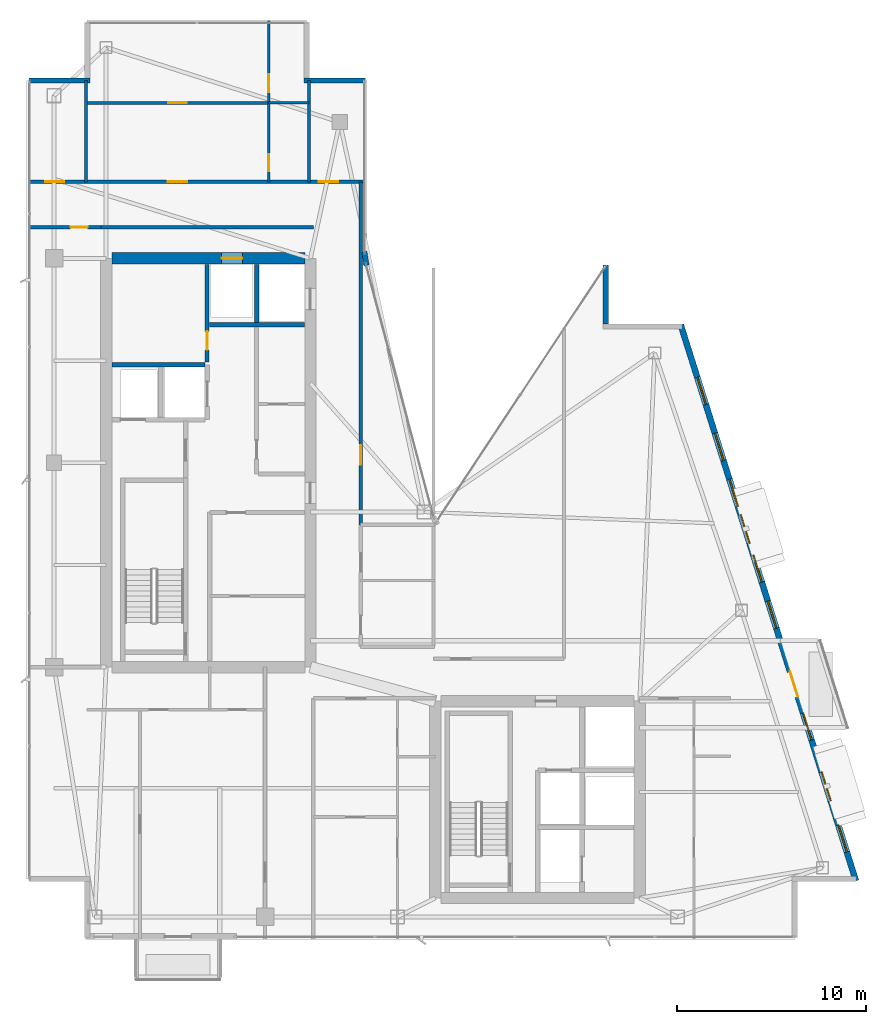
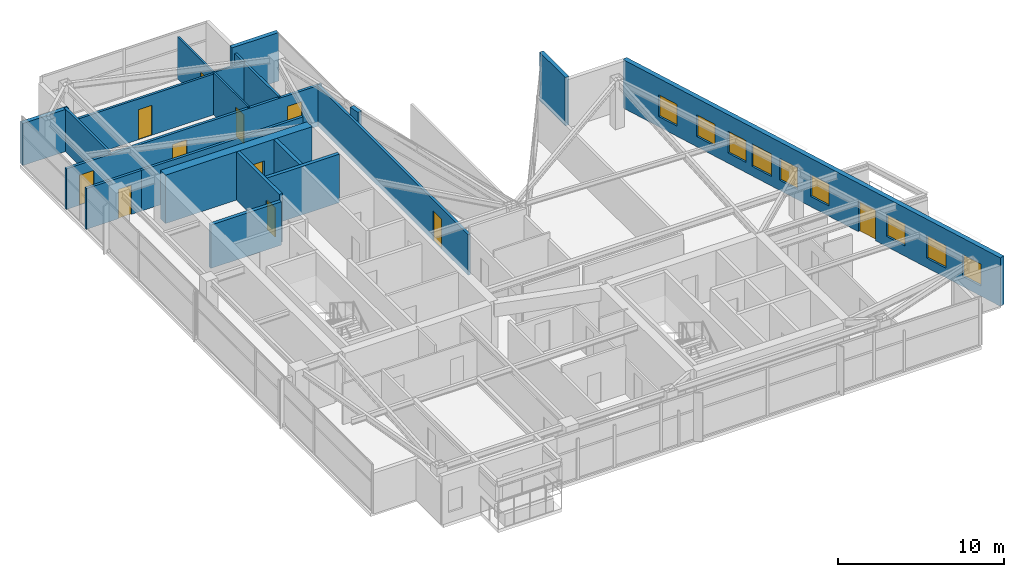
# One storey, part 25 of 28: 19 walls, 11 doors, 9 windows, 20 openings.
"""IFC4 building model written with IfcOpenShell, lengths in metres."""

import ifcopenshell
import ifcopenshell.guid

model = None  # the IFC model being written
_history = None  # IfcOwnerHistory: only IFC2X3 demands one
_inside = {}  # id of a spatial element -> (the spatial element, [elements in it])
_under = {}  # id of a project, library or spatial element -> (it, [spatial elements below it])
_declared = {}  # id of a project -> (the project, [libraries it declares])
_typed = {}  # id of a type object -> (the type object, [elements of that type])
_made_of = {}  # id of a material, layer set ... -> (it, [elements and type objects made of it])


def new_model(schema):
    """Start an empty IFC model of exactly this schema.

    Asked for "IFC4X3", IfcOpenShell would pick the latest addendum, in which some entities
    have other attributes; the version numbers below select the first issue.
    IFC2X3 requires an IfcOwnerHistory on every rooted entity: one is made here for all.
    """
    global model, _history
    if schema == "IFC4X3":
        model = ifcopenshell.file(schema_version=(4, 3, 0, 0))
    else:
        model = ifcopenshell.file(schema=schema)
    _inside.clear()
    _under.clear()
    _declared.clear()
    _typed.clear()
    _made_of.clear()
    _history = None
    if model.schema == "IFC2X3":
        org = make("IfcOrganization", Name="unknown")
        user = make(
            "IfcPersonAndOrganization",
            ThePerson=make("IfcPerson", FamilyName="unknown"),
            TheOrganization=org,
        )
        app = make(
            "IfcApplication",
            ApplicationDeveloper=org,
            Version="unknown",
            ApplicationFullName="unknown",
            ApplicationIdentifier="unknown",
        )
        _history = make(
            "IfcOwnerHistory",
            OwningUser=user,
            OwningApplication=app,
            ChangeAction="ADDED",
            CreationDate=0,
        )
    return model


def make(cls, **values):
    """One entity of the class cls with the attributes given. An attribute that is None is left unset."""
    return model.create_entity(
        cls, **{name: value for name, value in values.items() if value is not None}
    )


def rooted(cls, **values):
    """An entity with a GlobalId (a new one), such as an element, a storey or a relation."""
    return make(cls, GlobalId=ifcopenshell.guid.new(), OwnerHistory=_history, **values)


def si_unit(unit_type, name, prefix=None):
    """IfcSIUnit, for example si_unit("LENGTHUNIT", "METRE", prefix="MILLI")."""
    return make("IfcSIUnit", UnitType=unit_type, Prefix=prefix, Name=name)


def assignment(units):
    """IfcUnitAssignment: the units of a project."""
    return None if units is None else make("IfcUnitAssignment", Units=units)


def point(xyz):
    """IfcCartesianPoint."""
    return None if xyz is None else make("IfcCartesianPoint", Coordinates=xyz)


def direction(xyz):
    """IfcDirection."""
    return None if xyz is None else make("IfcDirection", DirectionRatios=xyz)


def frame(location, z_axis=None, x_axis=None):
    """IfcAxis2Placement3D, a coordinate frame: its origin and axes. An axis left out is left unset."""
    return make(
        "IfcAxis2Placement3D",
        Location=point(location),
        Axis=direction(z_axis),
        RefDirection=direction(x_axis),
    )


def frame_2d(location, x_axis=None):
    """IfcAxis2Placement2D, a coordinate frame in the plane: its origin and x axis."""
    return make(
        "IfcAxis2Placement2D", Location=point(location), RefDirection=direction(x_axis)
    )


def origin():
    """The frame at (0, 0, 0) with its axes left unset."""
    return frame((0.0, 0.0, 0.0))


def place(relative_to, where):
    """IfcLocalPlacement: puts the frame where relative to a parent placement (None: the world)."""
    return make(
        "IfcLocalPlacement", PlacementRelTo=relative_to, RelativePlacement=where
    )


def context(
    kind, dimensions, precision=None, world=None, true_north=None, identifier=None
):
    """IfcGeometricRepresentationContext, for example the 3D "Model" context."""
    return make(
        "IfcGeometricRepresentationContext",
        ContextIdentifier=identifier,
        ContextType=kind,
        CoordinateSpaceDimension=dimensions,
        Precision=precision,
        WorldCoordinateSystem=world,
        TrueNorth=true_north,
    )


def subcontext(parent, identifier, kind, view, scale=None):
    """IfcGeometricRepresentationSubContext, for example "Body" below "Model"."""
    return make(
        "IfcGeometricRepresentationSubContext",
        ContextIdentifier=identifier,
        ContextType=kind,
        ParentContext=parent,
        TargetScale=scale,
        TargetView=view,
    )


def project(units=None, contexts=None):
    """IfcProject with its units and contexts."""
    return rooted(
        "IfcProject",
        Name="project",
        RepresentationContexts=contexts,
        UnitsInContext=assignment(units),
    )


def spatial(cls, under=None, at=None, **own):
    """A site, building, storey or space (cls), placed at a placement, below another one or the project."""
    s = rooted(cls, ObjectPlacement=at, **own)
    if under is not None:
        _under.setdefault(under.id(), (under, []))[1].append(s)
    return s


def profile(cls, at=None, kind="AREA", **sizes):
    """A parametric profile (cls). Its sizes go by their IFC names, for example OverallWidth=200.0."""
    return make(cls, ProfileType=kind, Position=at, **sizes)


def rectangle(**sizes):
    """IfcRectangleProfileDef."""
    return profile("IfcRectangleProfileDef", **sizes)


def extrude(swept, where, along, depth):
    """IfcExtrudedAreaSolid: the profile swept, set in the frame where, extruded along a direction by depth."""
    return make(
        "IfcExtrudedAreaSolid",
        SweptArea=swept,
        Position=where,
        ExtrudedDirection=direction(along),
        Depth=depth,
    )


def shape(context_of_items, identifier, shape_type, items):
    """IfcShapeRepresentation: the items that make up one representation, for example the "Body"."""
    return make(
        "IfcShapeRepresentation",
        ContextOfItems=context_of_items,
        RepresentationIdentifier=identifier,
        RepresentationType=shape_type,
        Items=items,
    )


def material(Name=None, Category=None):
    """IfcMaterial."""
    return make("IfcMaterial", Name=Name, Category=Category)


def layer(
    of_material, thickness, ventilated=None, Name=None, Category=None, Priority=None
):
    """IfcMaterialLayer: one layer of a wall or slab, of a material (None: an air gap)."""
    return make(
        "IfcMaterialLayer",
        Material=of_material,
        LayerThickness=thickness,
        IsVentilated=ventilated,
        Name=Name,
        Category=Category,
        Priority=Priority,
    )


def layer_set(layers, Name=None):
    """IfcMaterialLayerSet."""
    return make("IfcMaterialLayerSet", MaterialLayers=layers, LayerSetName=Name)


def made_of(thing, what):
    """Note that an element or type object is made of a material, layer set ...; save() writes the relation."""
    if what is not None:
        _made_of.setdefault(what.id(), (what, []))[1].append(thing)
    return thing


def type_object(cls, material=None, **own):
    """A type object (cls), such as IfcWallType, which elements share."""
    return made_of(rooted(cls, **own), material)


def element(
    cls,
    number,
    at=None,
    inside=None,
    cuts=None,
    type_object=None,
    material=None,
    context=None,
    identifier="Body",
    shape_type=None,
    held_by="IfcProductDefinitionShape",
    body=None,
    shapes=None,
    **own,
):
    """One element of the class cls, such as IfcWall. Its Tag is "e" and its number.

    at: its placement. inside: the storey or other place that contains it. cuts: it is an
    opening in that element (IfcRelVoidsElement). A single representation is given by context,
    identifier, shape_type and body (its items); several are given by shapes. held_by: the class
    of the entity that holds the representations. save() writes the other relations.
    """
    e = rooted(cls, Tag="e%d" % number, ObjectPlacement=at, **own)
    if body is not None:
        shapes = [shape(context, identifier, shape_type, body)]
    if shapes is not None:
        e.Representation = make(held_by, Representations=shapes)
    if inside is not None:
        _inside.setdefault(inside.id(), (inside, []))[1].append(e)
    if cuts is not None:
        rooted(
            "IfcRelVoidsElement", RelatingBuildingElement=cuts, RelatedOpeningElement=e
        )
    if type_object is not None:
        _typed.setdefault(type_object.id(), (type_object, []))[1].append(e)
    return made_of(e, material)


def fill(opening, filler):
    """IfcRelFillsElement: the door or window that sits in an opening."""
    return rooted(
        "IfcRelFillsElement",
        RelatingOpeningElement=opening,
        RelatedBuildingElement=filler,
    )


def aggregate(whole, parts):
    """IfcRelAggregates: a whole, such as a stair, and the parts it consists of."""
    return rooted("IfcRelAggregates", RelatingObject=whole, RelatedObjects=parts)


def save(model, path):
    """Write the relations noted so far, then the file.

    IfcRelAggregates (storeys below a building ...), IfcRelContainedInSpatialStructure (elements
    in a storey), IfcRelDefinesByType, IfcRelAssociatesMaterial and IfcRelDeclares: one each for
    every whole, place, type object, material and project.
    """
    for whole, parts in _under.values():
        aggregate(whole, parts)
    for where, things in _inside.values():
        rooted(
            "IfcRelContainedInSpatialStructure",
            RelatedElements=things,
            RelatingStructure=where,
        )
    for kind, things in _typed.values():
        rooted("IfcRelDefinesByType", RelatedObjects=things, RelatingType=kind)
    for what, things in _made_of.values():
        rooted("IfcRelAssociatesMaterial", RelatedObjects=things, RelatingMaterial=what)
    for by, libraries in _declared.values():
        rooted("IfcRelDeclares", RelatingContext=by, RelatedDefinitions=libraries)
    model.write(path)


model = new_model("IFC4")

# Units and contexts
model_context = context("Model", 3, precision=1e-05, world=origin(), true_north=direction((0.0, 1.0)))
body_context = subcontext(model_context, "Body", "Model", "MODEL_VIEW")
ifc_project = project(units=[si_unit("LENGTHUNIT", "METRE"), si_unit("AREAUNIT", "SQUARE_METRE"), si_unit("VOLUMEUNIT", "CUBIC_METRE"), si_unit("PLANEANGLEUNIT", "RADIAN"), si_unit("MASSUNIT", "GRAM", prefix="KILO")], contexts=[model_context])

# Site, building, storey
site_placement = place(None, origin())
site = spatial("IfcSite", under=ifc_project, at=site_placement, CompositionType="ELEMENT")
building_placement = place(site_placement, origin())
building = spatial("IfcBuilding", under=site, at=building_placement, Name="Calvorn Quay Hotel", CompositionType="ELEMENT")
storey_placement = place(building_placement, frame((0.0, 0.0, 271.10009765625)))
storey = spatial("IfcBuildingStorey", under=building, at=storey_placement, Name="L67", CompositionType="ELEMENT", Elevation=271.10009765625)

# Wall, opening, door
ifc_material_1 = material(Name="Concrete C45", Category="concrete")
ifc_layer_1 = layer(ifc_material_1, 0.60009765625)
ifc_layer_set_1 = layer_set([ifc_layer_1], Name="WL-CORE-600")
wall_type_1 = type_object("IfcWallType", Name="WL-CORE-600", PredefinedType="SHEAR", material=ifc_layer_set_1)
wall_1_placement = place(storey_placement, frame((4.5, 38.39990234375, 0.0), z_axis=(0.0, 0.0, 1.0), x_axis=(1.0, 0.0, 0.0)))
wall_1 = element("IfcWall", 1, at=wall_1_placement, inside=storey, type_object=wall_type_1, Name="West Core Shear Wall N (L67)", PredefinedType="SHEAR", context=body_context, shape_type="SweptSolid", body=[
    extrude(rectangle(XDim=10.199951171875, YDim=0.60009765625, at=frame_2d((5.10009765625, 0.0))), origin(), (0.0, 0.0, 1.0), 3.559814453125),
])
opening_1_placement = place(wall_1_placement, frame((5.800048828125, 0.0, 0.0)))
opening_1 = element("IfcOpeningElement", 2, at=opening_1_placement, cuts=wall_1, Name="Opening LD-L67-H2", PredefinedType="OPENING", context=body_context, shape_type="SweptSolid", body=[
    extrude(rectangle(XDim=1.10009765625, YDim=2.199951171875, at=frame_2d((0.550048828125, 1.10009765625))), frame((0.0, 0.31005859375, 0.0), z_axis=(0.0, -1.0, 0.0), x_axis=(1.0, 0.0, 0.0)), (0.0, 0.0, 1.0), 0.6201171875),
])
ifc_material_2 = material(Name="Brushed Stainless Steel Sliding Lift Landing Door", Category="steel")
door_type_1 = type_object("IfcDoorType", Name="DR-LIFT-PASS-1100", OperationType="NOTDEFINED", PredefinedType="DOOR", material=ifc_material_2)
door_1_placement = place(opening_1_placement, origin())
door_1 = element("IfcDoor", 3, at=door_1_placement, inside=storey, type_object=door_type_1, Name="High-Rise Lift PL-H2 Landing Door (L67)", OperationType="DOUBLE_DOOR_SLIDING", OverallHeight=2.199951171875, OverallWidth=1.10009765625, PredefinedType="DOOR", context=body_context, shape_type="SweptSolid", body=[
    extrude(rectangle(XDim=1.10009765625, YDim=2.199951171875, at=frame_2d((0.550048828125, 1.10009765625))), frame((0.0, 0.02490234375, 0.0), z_axis=(0.0, -1.0, 0.0), x_axis=(1.0, 0.0, 0.0)), (0.0, 0.0, 1.0), 0.050048828125),
])
fill(opening_1, door_1)

ifc_material_3 = material(Name="Acoustic Fireboard Steel-Stud Partition", Category="steel")
ifc_layer_2 = layer(ifc_material_3, 0.179931640625)
ifc_layer_set_2 = layer_set([ifc_layer_2], Name="WL-CORR-FIRE-180")
wall_type_2 = type_object("IfcWallType", Name="WL-CORR-FIRE-180", PredefinedType="PARTITIONING", material=ifc_layer_set_2)
wall_2_placement = place(storey_placement, frame((0.080078125, 40.050048828125, 0.0), z_axis=(0.0, 0.0, 1.0), x_axis=(1.0, 0.0, 0.0)))
wall_2 = element("IfcWall", 4, at=wall_2_placement, inside=storey, type_object=wall_type_2, Name="Partition Wall L67-WL-WBAY-N-DOOR", PredefinedType="PARTITIONING", context=body_context, shape_type="SweptSolid", body=[
    extrude(rectangle(XDim=3.849853515625, YDim=0.179931640625, at=frame_2d((1.9248046875, 0.0))), origin(), (0.0, 0.0, 1.0), 2.989990234375),
])
opening_2_placement = place(wall_2_placement, frame((2.25, 0.0, 0.0)))
opening_2 = element("IfcOpeningElement", 5, at=opening_2_placement, cuts=wall_2, Name="Opening D-L67-WBN", PredefinedType="OPENING", context=body_context, shape_type="SweptSolid", body=[
    extrude(rectangle(XDim=0.89990234375, YDim=2.14990234375, at=frame_2d((0.449951171875, 1.074951171875))), frame((0.0, 0.099853515625, 0.0), z_axis=(0.0, -1.0, 0.0), x_axis=(1.0, 0.0, 0.0)), (0.0, 0.0, 1.0), 0.199951171875),
])
ifc_material_4 = material(Name="Moisture-Sealed Timber En-Suite Door", Category="wood")
door_type_2 = type_object("IfcDoorType", Name="DR-ENSUITE-900", OperationType="NOTDEFINED", PredefinedType="DOOR", material=ifc_material_4)
door_2_placement = place(opening_2_placement, origin())
door_2 = element("IfcDoor", 6, at=door_2_placement, inside=storey, type_object=door_type_2, Name="West North Bay Door (L67)", OperationType="SINGLE_SWING_LEFT", OverallHeight=2.14990234375, OverallWidth=0.89990234375, PredefinedType="DOOR", context=body_context, shape_type="SweptSolid", body=[
    extrude(rectangle(XDim=0.89990234375, YDim=2.14990234375, at=frame_2d((0.449951171875, 1.074951171875))), frame((0.0, 0.02490234375, 0.0), z_axis=(0.0, -1.0, 0.0), x_axis=(1.0, 0.0, 0.0)), (0.0, 0.0, 1.0), 0.050048828125),
])
fill(opening_2, door_2)

# Wall, openings, doors
wall_3_placement = place(storey_placement, frame((0.080078125, 42.449951171875, 0.0), z_axis=(0.0, 0.0, 1.0), x_axis=(1.0, 0.0, 0.0)))
wall_3 = element("IfcWall", 7, at=wall_3_placement, inside=storey, type_object=wall_type_2, Name="Partition Wall L67-WL-CORR-NW-N", PredefinedType="PARTITIONING", context=body_context, shape_type="SweptSolid", body=[
    extrude(rectangle(XDim=17.77001953125, YDim=0.179931640625, at=frame_2d((8.885009765625, 0.0))), origin(), (0.0, 0.0, 1.0), 2.989990234375),
])
opening_3_placement = place(wall_3_placement, frame((0.89990234375, 0.0, 0.0)))
opening_3 = element("IfcOpeningElement", 8, at=opening_3_placement, cuts=wall_3, Name="Opening D-L67-NWW", PredefinedType="OPENING", context=body_context, shape_type="SweptSolid", body=[
    extrude(rectangle(XDim=1.02001953125, YDim=2.199951171875, at=frame_2d((0.510009765625, 1.10009765625))), frame((0.0, 0.099853515625, 0.0), z_axis=(0.0, -1.0, 0.0), x_axis=(1.0, 0.0, 0.0)), (0.0, 0.0, 1.0), 0.199951171875),
])
opening_4_placement = place(wall_3_placement, frame((7.3798828125, 0.0, 0.0)))
opening_4 = element("IfcOpeningElement", 9, at=opening_4_placement, cuts=wall_3, Name="Opening D-L67-U03", PredefinedType="OPENING", context=body_context, shape_type="SweptSolid", body=[
    extrude(rectangle(XDim=1.02001953125, YDim=2.199951171875, at=frame_2d((0.510009765625, 1.10009765625))), frame((0.0, 0.099853515625, 0.0), z_axis=(0.0, -1.0, 0.0), x_axis=(1.0, 0.0, 0.0)), (0.0, 0.0, 1.0), 0.199951171875),
])
opening_5_placement = place(wall_3_placement, frame((15.3701171875, 0.0, 0.0)))
opening_5 = element("IfcOpeningElement", 10, at=opening_5_placement, cuts=wall_3, Name="Opening D-L67-NWE", PredefinedType="OPENING", context=body_context, shape_type="SweptSolid", body=[
    extrude(rectangle(XDim=1.02001953125, YDim=2.199951171875, at=frame_2d((0.510009765625, 1.10009765625))), frame((0.0, 0.099853515625, 0.0), z_axis=(0.0, -1.0, 0.0), x_axis=(1.0, 0.0, 0.0)), (0.0, 0.0, 1.0), 0.199951171875),
])
ifc_material_5 = material(Name="Solid-Core Walnut Veneer Hotel Fire Door")
door_type_3 = type_object("IfcDoorType", Name="DR-GUEST-ENTRY-1020", OperationType="NOTDEFINED", PredefinedType="DOOR", material=ifc_material_5)
door_3_placement = place(opening_3_placement, origin())
door_3 = element("IfcDoor", 11, at=door_3_placement, inside=storey, type_object=door_type_3, Name="West Corner Study Door (L67)", OperationType="SINGLE_SWING_LEFT", OverallHeight=2.199951171875, OverallWidth=1.02001953125, PredefinedType="DOOR", context=body_context, shape_type="SweptSolid", body=[
    extrude(rectangle(XDim=1.02001953125, YDim=2.199951171875, at=frame_2d((0.510009765625, 1.10009765625))), frame((0.0, 0.02490234375, 0.0), z_axis=(0.0, -1.0, 0.0), x_axis=(1.0, 0.0, 0.0)), (0.0, 0.0, 1.0), 0.050048828125),
])
fill(opening_3, door_3)
door_4_placement = place(opening_4_placement, origin())
door_4 = element("IfcDoor", 12, at=door_4_placement, inside=storey, type_object=door_type_3, Name="North-West Unit Door U03 (L67)", OperationType="SINGLE_SWING_RIGHT", OverallHeight=2.199951171875, OverallWidth=1.02001953125, PredefinedType="DOOR", context=body_context, shape_type="SweptSolid", body=[
    extrude(rectangle(XDim=1.02001953125, YDim=2.199951171875, at=frame_2d((0.510009765625, 1.10009765625))), frame((0.0, 0.02490234375, 0.0), z_axis=(0.0, -1.0, 0.0), x_axis=(1.0, 0.0, 0.0)), (0.0, 0.0, 1.0), 0.050048828125),
])
fill(opening_4, door_4)
door_5_placement = place(opening_5_placement, origin())
door_5 = element("IfcDoor", 13, at=door_5_placement, inside=storey, type_object=door_type_3, Name="Inner Court Study Door (L67)", OperationType="SINGLE_SWING_RIGHT", OverallHeight=2.199951171875, OverallWidth=1.02001953125, PredefinedType="DOOR", context=body_context, shape_type="SweptSolid", body=[
    extrude(rectangle(XDim=1.02001953125, YDim=2.199951171875, at=frame_2d((0.510009765625, 1.10009765625))), frame((0.0, 0.02490234375, 0.0), z_axis=(0.0, -1.0, 0.0), x_axis=(1.0, 0.0, 0.0)), (0.0, 0.0, 1.0), 0.050048828125),
])
fill(opening_5, door_5)

# Wall, opening, door
wall_4_placement = place(storey_placement, frame((17.64990234375, 24.300048828125, 0.0), z_axis=(0.0, 0.0, 1.0), x_axis=(0.0, 1.0, 0.0)))
wall_4 = element("IfcWall", 14, at=wall_4_placement, inside=storey, type_object=wall_type_2, Name="Partition Wall L67-WL-NW-CLOSURE-E", PredefinedType="PARTITIONING", context=body_context, shape_type="SweptSolid", body=[
    extrude(rectangle(XDim=18.14990234375, YDim=0.179931640625, at=frame_2d((9.074951171875, 0.0))), origin(), (0.0, 0.0, 1.0), 2.989990234375),
])
opening_6_placement = place(wall_4_placement, frame((3.199951171875, 0.0, 0.0)))
opening_6 = element("IfcOpeningElement", 15, at=opening_6_placement, cuts=wall_4, Name="Opening D-L67-NCU", PredefinedType="OPENING", context=body_context, shape_type="SweptSolid", body=[
    extrude(rectangle(XDim=1.02001953125, YDim=2.199951171875, at=frame_2d((0.510009765625, 1.10009765625))), frame((0.0, 0.099853515625, 0.0), z_axis=(0.0, -1.0, 0.0), x_axis=(1.0, 0.0, 0.0)), (0.0, 0.0, 1.0), 0.199951171875),
])
door_6_placement = place(opening_6_placement, origin())
door_6 = element("IfcDoor", 16, at=door_6_placement, inside=storey, type_object=door_type_3, Name="Inner Court Horizon Study Door (L67)", OperationType="SINGLE_SWING_RIGHT", OverallHeight=2.199951171875, OverallWidth=1.02001953125, PredefinedType="DOOR", context=body_context, shape_type="SweptSolid", body=[
    extrude(rectangle(XDim=1.02001953125, YDim=2.199951171875, at=frame_2d((0.510009765625, 1.10009765625))), frame((0.0, 0.02490234375, 0.0), z_axis=(0.0, -1.0, 0.0), x_axis=(1.0, 0.0, 0.0)), (0.0, 0.0, 1.0), 0.050048828125),
])
fill(opening_6, door_6)

# Walls
wall_5_placement = place(storey_placement, frame((3.8798828125, 40.050048828125, 0.0), z_axis=(0.0, 0.0, 1.0), x_axis=(1.0, 0.0, 0.0)))
element("IfcWall", 17, at=wall_5_placement, inside=storey, type_object=wall_type_2, Name="Partition Wall L67-WL-W-SPUR-S", PredefinedType="PARTITIONING", context=body_context, shape_type="SweptSolid", body=[
    extrude(rectangle(XDim=11.27001953125, YDim=0.179931640625, at=frame_2d((5.635009765625, 0.0))), origin(), (0.0, 0.0, 1.0), 2.989990234375),
])
ifc_material_6 = material(Name="Moisture-Resistant Tile-Backed Partition")
ifc_layer_3 = layer(ifc_material_6, 0.125)
ifc_layer_set_3 = layer_set([ifc_layer_3], Name="WL-ENSUITE-125")
wall_type_3 = type_object("IfcWallType", Name="WL-ENSUITE-125", PredefinedType="PARTITIONING", material=ifc_layer_set_3)
wall_6_placement = place(storey_placement, frame((12.7900390625, 46.6201171875, 0.0), z_axis=(0.0, 0.0, 1.0), x_axis=(1.0, 0.0, 0.0)))
element("IfcWall", 18, at=wall_6_placement, inside=storey, type_object=wall_type_3, Name="Partition Wall L67-WL-U03-BDV", PredefinedType="PARTITIONING", context=body_context, shape_type="SweptSolid", body=[
    extrude(rectangle(XDim=2.1298828125, YDim=0.125, at=frame_2d((1.06494140625, 0.0))), origin(), (0.0, 0.0, 1.0), 3.08984375),
])

# Wall, openings, doors
wall_7_placement = place(storey_placement, frame((12.7900390625, 42.449951171875, 0.0), z_axis=(0.0, 0.0, 1.0), x_axis=(0.0, 1.0, 0.0)))
wall_7 = element("IfcWall", 19, at=wall_7_placement, inside=storey, type_object=wall_type_3, Name="Partition Wall L67-WL-U03-BV", PredefinedType="PARTITIONING", context=body_context, shape_type="SweptSolid", body=[
    extrude(rectangle(XDim=8.489990234375, YDim=0.125, at=frame_2d((4.2451171875, 0.0))), origin(), (0.0, 0.0, 1.0), 3.08984375),
])
opening_7_placement = place(wall_7_placement, frame((0.550048828125, 0.0, 0.0)))
opening_7 = element("IfcOpeningElement", 20, at=opening_7_placement, cuts=wall_7, Name="Opening D-L67-E03", PredefinedType="OPENING", context=body_context, shape_type="SweptSolid", body=[
    extrude(rectangle(XDim=0.89990234375, YDim=2.14990234375, at=frame_2d((0.449951171875, 1.074951171875))), frame((0.0, 0.072509765625, 0.0), z_axis=(0.0, -1.0, 0.0), x_axis=(1.0, 0.0, 0.0)), (0.0, 0.0, 1.0), 0.14501953125),
])
opening_8_placement = place(wall_7_placement, frame((4.719970703125, 0.0, 0.0)))
opening_8 = element("IfcOpeningElement", 21, at=opening_8_placement, cuts=wall_7, Name="Opening D-L67-S03", PredefinedType="OPENING", context=body_context, shape_type="SweptSolid", body=[
    extrude(rectangle(XDim=0.9599609375, YDim=2.199951171875, at=frame_2d((0.47998046875, 1.10009765625))), frame((0.0, 0.072509765625, 0.0), z_axis=(0.0, -1.0, 0.0), x_axis=(1.0, 0.0, 0.0)), (0.0, 0.0, 1.0), 0.14501953125),
])
door_7_placement = place(opening_7_placement, origin())
door_7 = element("IfcDoor", 22, at=door_7_placement, inside=storey, type_object=door_type_2, Name="En-Suite Door 03", OperationType="SINGLE_SWING_LEFT", OverallHeight=2.14990234375, OverallWidth=0.89990234375, PredefinedType="DOOR", context=body_context, shape_type="SweptSolid", body=[
    extrude(rectangle(XDim=0.89990234375, YDim=2.14990234375, at=frame_2d((0.449951171875, 1.074951171875))), frame((0.0, 0.02490234375, 0.0), z_axis=(0.0, -1.0, 0.0), x_axis=(1.0, 0.0, 0.0)), (0.0, 0.0, 1.0), 0.050048828125),
])
fill(opening_7, door_7)
ifc_material_7 = material(Name="Solid Timber Internal Suite Door", Category="wood")
door_type_4 = type_object("IfcDoorType", Name="DR-SUITE-INT-960", OperationType="NOTDEFINED", PredefinedType="DOOR", material=ifc_material_7)
door_8_placement = place(opening_8_placement, origin())
door_8 = element("IfcDoor", 23, at=door_8_placement, inside=storey, type_object=door_type_4, Name="Executive Study Door 03", OperationType="SINGLE_SWING_RIGHT", OverallHeight=2.199951171875, OverallWidth=0.9599609375, PredefinedType="DOOR", context=body_context, shape_type="SweptSolid", body=[
    extrude(rectangle(XDim=0.9599609375, YDim=2.199951171875, at=frame_2d((0.47998046875, 1.10009765625))), frame((0.0, 0.02490234375, 0.0), z_axis=(0.0, -1.0, 0.0), x_axis=(1.0, 0.0, 0.0)), (0.0, 0.0, 1.0), 0.050048828125),
])
fill(opening_8, door_8)

# Walls
ifc_material_8 = material(Name="Concrete C40", Category="concrete")
ifc_layer_4 = layer(ifc_material_8, 0.320068359375)
ifc_layer_set_4 = layer_set([ifc_layer_4], Name="WL-EXT-SPANDREL-320")
wall_type_4 = type_object("IfcWallType", Name="WL-EXT-SPANDREL-320", PredefinedType="SOLIDWALL", material=ifc_layer_set_4)
wall_8_placement = place(storey_placement, frame((17.9619140625, 38.030029296875, 0.0), z_axis=(0.0, 0.0, 1.0), x_axis=(-0.15141125477, 0.988470855377, 0.0)))
element("IfcWall", 24, at=wall_8_placement, inside=storey, type_object=wall_type_4, Name="Inner Court Corner Pier L67-ICJ2", PredefinedType="SOLIDWALL", context=body_context, shape_type="SweptSolid", body=[
    extrude(rectangle(XDim=0.738525390625, YDim=0.280029296875, at=frame_2d((0.369140625, 0.0))), origin(), (0.0, 0.0, 1.0), 3.559814453125),
])
wall_9_placement = place(storey_placement, frame((30.60009765625, 34.93994140625, 0.0), z_axis=(0.0, 0.0, 1.0), x_axis=(0.0, 1.0, 0.0)))
element("IfcWall", 25, at=wall_9_placement, inside=storey, type_object=wall_type_4, Name="Notched Corner Spandrel L67-NE2", PredefinedType="SOLIDWALL", context=body_context, shape_type="SweptSolid", body=[
    extrude(rectangle(XDim=3.10009765625, YDim=0.280029296875, at=frame_2d((1.550048828125, 0.0))), origin(), (0.0, 0.0, 1.0), 3.559814453125),
])
wall_10_placement = place(storey_placement, frame((17.89990234375, 47.800048828125, 0.0), z_axis=(0.0, 0.0, 1.0), x_axis=(-1.0, 0.0, 0.0)))
element("IfcWall", 26, at=wall_10_placement, inside=storey, type_object=wall_type_4, Name="Notched Corner Spandrel L67-NWE1", PredefinedType="SOLIDWALL", context=body_context, shape_type="SweptSolid", body=[
    extrude(rectangle(XDim=3.239990234375, YDim=0.280029296875, at=frame_2d((1.6201171875, 0.0))), origin(), (0.0, 0.0, 1.0), 3.559814453125),
])
wall_11_placement = place(storey_placement, frame((3.340087890625, 47.800048828125, 0.0), z_axis=(0.0, 0.0, 1.0), x_axis=(-1.0, 0.0, 0.0)))
element("IfcWall", 27, at=wall_11_placement, inside=storey, type_object=wall_type_4, Name="Notched Corner Spandrel L67-NW2", PredefinedType="SOLIDWALL", context=body_context, shape_type="SweptSolid", body=[
    extrude(rectangle(XDim=3.219970703125, YDim=0.280029296875, at=frame_2d((1.60986328125, 0.0))), origin(), (0.0, 0.0, 1.0), 3.08984375),
])

# Wall, openings, door, windows
wall_12_placement = place(storey_placement, frame((43.830078125, 5.5048828125, 0.0), z_axis=(0.0, 0.0, 1.0), x_axis=(-0.300509063924, 0.953778958931, 0.0)))
wall_12 = element("IfcWall", 28, at=wall_12_placement, inside=storey, type_object=wall_type_4, Name="East Stepped Waterfront Exterior Wall (L67)", PredefinedType="SOLIDWALL", context=body_context, shape_type="SweptSolid", body=[
    extrude(rectangle(XDim=30.814453125, YDim=0.320068359375, at=frame_2d((15.4072265625, 0.0))), origin(), (0.0, 0.0, 1.0), 3.559814453125),
])
opening_9_placement = place(wall_12_placement, frame((10.198974609375, 0.0, 0.0)))
opening_9 = element("IfcOpeningElement", 29, at=opening_9_placement, cuts=wall_12, Name="Opening DB-L67-1", PredefinedType="OPENING", context=body_context, shape_type="SweptSolid", body=[
    extrude(rectangle(XDim=1.39990234375, YDim=2.25, at=frame_2d((0.699951171875, 1.125))), frame((0.0, 0.169921875, 0.0), z_axis=(0.0, -1.0, 0.0), x_axis=(1.0, 0.0, 0.0)), (0.0, 0.0, 1.0), 0.340087890625),
])
opening_10_placement = place(wall_12_placement, frame((4.43701171875, 0.0, 0.699951171875)))
opening_10 = element("IfcOpeningElement", 30, at=opening_10_placement, cuts=wall_12, Name="Opening WHD-L67-1", PredefinedType="OPENING", context=body_context, shape_type="SweptSolid", body=[
    extrude(rectangle(XDim=1.60009765625, YDim=1.64990234375, at=frame_2d((0.800048828125, 0.824951171875))), frame((0.0, 0.169921875, 0.0), z_axis=(0.0, -1.0, 0.0), x_axis=(1.0, 0.0, 0.0)), (0.0, 0.0, 1.0), 0.340087890625),
])
opening_11_placement = place(wall_12_placement, frame((18.696044921875, 0.0, 0.699951171875)))
opening_11 = element("IfcOpeningElement", 31, at=opening_11_placement, cuts=wall_12, Name="Opening WHD-L67-2", PredefinedType="OPENING", context=body_context, shape_type="SweptSolid", body=[
    extrude(rectangle(XDim=1.60009765625, YDim=1.64990234375, at=frame_2d((0.800048828125, 0.824951171875))), frame((0.0, 0.169921875, 0.0), z_axis=(0.0, -1.0, 0.0), x_axis=(1.0, 0.0, 0.0)), (0.0, 0.0, 1.0), 0.340087890625),
])
opening_12_placement = place(wall_12_placement, frame((1.60009765625, 0.0, 0.75)))
opening_12 = element("IfcOpeningElement", 32, at=opening_12_placement, cuts=wall_12, Name="Opening WG-L67-E1", PredefinedType="OPENING", context=body_context, shape_type="SweptSolid", body=[
    extrude(rectangle(XDim=1.5, YDim=1.60009765625, at=frame_2d((0.75, 0.800048828125))), frame((0.0, 0.169921875, 0.0), z_axis=(0.0, -1.0, 0.0), x_axis=(1.0, 0.0, 0.0)), (0.0, 0.0, 1.0), 0.340087890625),
])
opening_13_placement = place(wall_12_placement, frame((7.800048828125, 0.0, 0.75)))
opening_13 = element("IfcOpeningElement", 33, at=opening_13_placement, cuts=wall_12, Name="Opening WG-L67-E2", PredefinedType="OPENING", context=body_context, shape_type="SweptSolid", body=[
    extrude(rectangle(XDim=1.5, YDim=1.60009765625, at=frame_2d((0.75, 0.800048828125))), frame((0.0, 0.169921875, 0.0), z_axis=(0.0, -1.0, 0.0), x_axis=(1.0, 0.0, 0.0)), (0.0, 0.0, 1.0), 0.340087890625),
])
opening_14_placement = place(wall_12_placement, frame((14.0, 0.0, 0.75)))
opening_14 = element("IfcOpeningElement", 34, at=opening_14_placement, cuts=wall_12, Name="Opening WG-L67-E3", PredefinedType="OPENING", context=body_context, shape_type="SweptSolid", body=[
    extrude(rectangle(XDim=1.5, YDim=1.60009765625, at=frame_2d((0.75, 0.800048828125))), frame((0.0, 0.169921875, 0.0), z_axis=(0.0, -1.0, 0.0), x_axis=(1.0, 0.0, 0.0)), (0.0, 0.0, 1.0), 0.340087890625),
])
opening_15_placement = place(wall_12_placement, frame((16.550048828125, 0.0, 0.75)))
opening_15 = element("IfcOpeningElement", 35, at=opening_15_placement, cuts=wall_12, Name="Opening WG-L67-E4", PredefinedType="OPENING", context=body_context, shape_type="SweptSolid", body=[
    extrude(rectangle(XDim=1.5, YDim=1.60009765625, at=frame_2d((0.75, 0.800048828125))), frame((0.0, 0.169921875, 0.0), z_axis=(0.0, -1.0, 0.0), x_axis=(1.0, 0.0, 0.0)), (0.0, 0.0, 1.0), 0.340087890625),
])
opening_16_placement = place(wall_12_placement, frame((20.75, 0.0, 0.75)))
opening_16 = element("IfcOpeningElement", 36, at=opening_16_placement, cuts=wall_12, Name="Opening WG-L67-E5", PredefinedType="OPENING", context=body_context, shape_type="SweptSolid", body=[
    extrude(rectangle(XDim=1.5, YDim=1.60009765625, at=frame_2d((0.75, 0.800048828125))), frame((0.0, 0.169921875, 0.0), z_axis=(0.0, -1.0, 0.0), x_axis=(1.0, 0.0, 0.0)), (0.0, 0.0, 1.0), 0.340087890625),
])
opening_17_placement = place(wall_12_placement, frame((23.300048828125, 0.0, 0.75)))
opening_17 = element("IfcOpeningElement", 37, at=opening_17_placement, cuts=wall_12, Name="Opening WG-L67-E6", PredefinedType="OPENING", context=body_context, shape_type="SweptSolid", body=[
    extrude(rectangle(XDim=1.5, YDim=1.60009765625, at=frame_2d((0.75, 0.800048828125))), frame((0.0, 0.169921875, 0.0), z_axis=(0.0, -1.0, 0.0), x_axis=(1.0, 0.0, 0.0)), (0.0, 0.0, 1.0), 0.340087890625),
])
opening_18_placement = place(wall_12_placement, frame((26.39990234375, 0.0, 0.75)))
opening_18 = element("IfcOpeningElement", 38, at=opening_18_placement, cuts=wall_12, Name="Opening WG-L67-E7", PredefinedType="OPENING", context=body_context, shape_type="SweptSolid", body=[
    extrude(rectangle(XDim=1.5, YDim=1.60009765625, at=frame_2d((0.75, 0.800048828125))), frame((0.0, 0.169921875, 0.0), z_axis=(0.0, -1.0, 0.0), x_axis=(1.0, 0.0, 0.0)), (0.0, 0.0, 1.0), 0.340087890625),
])
ifc_material_9 = material(Name="Typhoon-Rated Low-E Aluminium Terrace Door", Category="aluminium")
door_type_5 = type_object("IfcDoorType", Name="DR-BALCONY-GLZ-1400", OperationType="NOTDEFINED", PredefinedType="DOOR", material=ifc_material_9)
door_9_placement = place(opening_9_placement, origin())
door_9 = element("IfcDoor", 39, at=door_9_placement, inside=storey, type_object=door_type_5, Name="Tree Balcony Terrace Door L67-BALC-E", OperationType="SINGLE_SWING_LEFT", OverallHeight=2.25, OverallWidth=1.39990234375, PredefinedType="DOOR", context=body_context, shape_type="SweptSolid", body=[
    extrude(rectangle(XDim=1.39990234375, YDim=2.25, at=frame_2d((0.699951171875, 1.125))), frame((0.0, 0.02490234375, 0.0), z_axis=(0.0, -1.0, 0.0), x_axis=(1.0, 0.0, 0.0)), (0.0, 0.0, 1.0), 0.050048828125),
])
fill(opening_9, door_9)
ifc_material_10 = material(Name="Champagne-Bronze Aluminium Low-E Window", Category="aluminium")
window_type_1 = type_object("IfcWindowType", Name="WIN-GUEST-SIDE-1600x2100", PartitioningType="SINGLE_PANEL", PredefinedType="WINDOW", material=ifc_material_10)
window_1_placement = place(opening_10_placement, origin())
window_1 = element("IfcWindow", 40, at=window_1_placement, inside=storey, type_object=window_type_1, Name="Bay Hood Window L67-HOOD-1", OverallHeight=1.64990234375, OverallWidth=1.60009765625, PartitioningType="SINGLE_PANEL", PredefinedType="WINDOW", context=body_context, shape_type="SweptSolid", body=[
    extrude(rectangle(XDim=1.60009765625, YDim=1.64990234375, at=frame_2d((0.800048828125, 0.824951171875))), frame((0.0, 0.030029296875, 0.0), z_axis=(0.0, -1.0, 0.0), x_axis=(1.0, 0.0, 0.0)), (0.0, 0.0, 1.0), 0.06005859375),
])
fill(opening_10, window_1)
window_2_placement = place(opening_11_placement, origin())
window_2 = element("IfcWindow", 41, at=window_2_placement, inside=storey, type_object=window_type_1, Name="Bay Hood Window L67-HOOD-3", OverallHeight=1.64990234375, OverallWidth=1.60009765625, PartitioningType="SINGLE_PANEL", PredefinedType="WINDOW", context=body_context, shape_type="SweptSolid", body=[
    extrude(rectangle(XDim=1.60009765625, YDim=1.64990234375, at=frame_2d((0.800048828125, 0.824951171875))), frame((0.0, 0.030029296875, 0.0), z_axis=(0.0, -1.0, 0.0), x_axis=(1.0, 0.0, 0.0)), (0.0, 0.0, 1.0), 0.06005859375),
])
fill(opening_11, window_2)
ifc_material_11 = material(Name="Self-Closing Class B Fire Window")
window_type_2 = type_object("IfcWindowType", Name="WIN-REFUGE-1500x1600", PartitioningType="SINGLE_PANEL", PredefinedType="WINDOW", material=ifc_material_11)
window_3_placement = place(opening_12_placement, origin())
window_3 = element("IfcWindow", 42, at=window_3_placement, inside=storey, type_object=window_type_2, Name="East Facade Window L67-E1", OverallHeight=1.60009765625, OverallWidth=1.5, PartitioningType="SINGLE_PANEL", PredefinedType="WINDOW", context=body_context, shape_type="SweptSolid", body=[
    extrude(rectangle(XDim=1.5, YDim=1.60009765625, at=frame_2d((0.75, 0.800048828125))), frame((0.0, 0.030029296875, 0.0), z_axis=(0.0, -1.0, 0.0), x_axis=(1.0, 0.0, 0.0)), (0.0, 0.0, 1.0), 0.06005859375),
])
fill(opening_12, window_3)
window_4_placement = place(opening_13_placement, origin())
window_4 = element("IfcWindow", 43, at=window_4_placement, inside=storey, type_object=window_type_2, Name="East Facade Window L67-E2", OverallHeight=1.60009765625, OverallWidth=1.5, PartitioningType="SINGLE_PANEL", PredefinedType="WINDOW", context=body_context, shape_type="SweptSolid", body=[
    extrude(rectangle(XDim=1.5, YDim=1.60009765625, at=frame_2d((0.75, 0.800048828125))), frame((0.0, 0.030029296875, 0.0), z_axis=(0.0, -1.0, 0.0), x_axis=(1.0, 0.0, 0.0)), (0.0, 0.0, 1.0), 0.06005859375),
])
fill(opening_13, window_4)
window_5_placement = place(opening_14_placement, origin())
window_5 = element("IfcWindow", 44, at=window_5_placement, inside=storey, type_object=window_type_2, Name="East Facade Window L67-E3", OverallHeight=1.60009765625, OverallWidth=1.5, PartitioningType="SINGLE_PANEL", PredefinedType="WINDOW", context=body_context, shape_type="SweptSolid", body=[
    extrude(rectangle(XDim=1.5, YDim=1.60009765625, at=frame_2d((0.75, 0.800048828125))), frame((0.0, 0.030029296875, 0.0), z_axis=(0.0, -1.0, 0.0), x_axis=(1.0, 0.0, 0.0)), (0.0, 0.0, 1.0), 0.06005859375),
])
fill(opening_14, window_5)
window_6_placement = place(opening_15_placement, origin())
window_6 = element("IfcWindow", 45, at=window_6_placement, inside=storey, type_object=window_type_2, Name="East Facade Window L67-E4", OverallHeight=1.60009765625, OverallWidth=1.5, PartitioningType="SINGLE_PANEL", PredefinedType="WINDOW", context=body_context, shape_type="SweptSolid", body=[
    extrude(rectangle(XDim=1.5, YDim=1.60009765625, at=frame_2d((0.75, 0.800048828125))), frame((0.0, 0.030029296875, 0.0), z_axis=(0.0, -1.0, 0.0), x_axis=(1.0, 0.0, 0.0)), (0.0, 0.0, 1.0), 0.06005859375),
])
fill(opening_15, window_6)
window_7_placement = place(opening_16_placement, origin())
window_7 = element("IfcWindow", 46, at=window_7_placement, inside=storey, type_object=window_type_2, Name="East Facade Window L67-E5", OverallHeight=1.60009765625, OverallWidth=1.5, PartitioningType="SINGLE_PANEL", PredefinedType="WINDOW", context=body_context, shape_type="SweptSolid", body=[
    extrude(rectangle(XDim=1.5, YDim=1.60009765625, at=frame_2d((0.75, 0.800048828125))), frame((0.0, 0.030029296875, 0.0), z_axis=(0.0, -1.0, 0.0), x_axis=(1.0, 0.0, 0.0)), (0.0, 0.0, 1.0), 0.06005859375),
])
fill(opening_16, window_7)
window_8_placement = place(opening_17_placement, origin())
window_8 = element("IfcWindow", 47, at=window_8_placement, inside=storey, type_object=window_type_2, Name="East Facade Window L67-E6", OverallHeight=1.60009765625, OverallWidth=1.5, PartitioningType="SINGLE_PANEL", PredefinedType="WINDOW", context=body_context, shape_type="SweptSolid", body=[
    extrude(rectangle(XDim=1.5, YDim=1.60009765625, at=frame_2d((0.75, 0.800048828125))), frame((0.0, 0.030029296875, 0.0), z_axis=(0.0, -1.0, 0.0), x_axis=(1.0, 0.0, 0.0)), (0.0, 0.0, 1.0), 0.06005859375),
])
fill(opening_17, window_8)
window_9_placement = place(opening_18_placement, origin())
window_9 = element("IfcWindow", 48, at=window_9_placement, inside=storey, type_object=window_type_2, Name="East Facade Window L67-E7", OverallHeight=1.60009765625, OverallWidth=1.5, PartitioningType="SINGLE_PANEL", PredefinedType="WINDOW", context=body_context, shape_type="SweptSolid", body=[
    extrude(rectangle(XDim=1.5, YDim=1.60009765625, at=frame_2d((0.75, 0.800048828125))), frame((0.0, 0.030029296875, 0.0), z_axis=(0.0, -1.0, 0.0), x_axis=(1.0, 0.0, 0.0)), (0.0, 0.0, 1.0), 0.06005859375),
])
fill(opening_18, window_9)

# Walls
ifc_material_12 = material(Name="Double-Stud Acoustic Gypsum Partition")
ifc_layer_5 = layer(ifc_material_12, 0.159912109375)
ifc_layer_set_5 = layer_set([ifc_layer_5], Name="WL-INTERSUITE-160")
wall_type_5 = type_object("IfcWallType", Name="WL-INTERSUITE-160", PredefinedType="PARTITIONING", material=ifc_layer_set_5)
wall_13_placement = place(storey_placement, frame((3.14990234375, 42.449951171875, 0.0), z_axis=(0.0, 0.0, 1.0), x_axis=(0.0, 1.0, 0.0)))
element("IfcWall", 49, at=wall_13_placement, inside=storey, type_object=wall_type_5, Name="Partition Wall L67-WL-NW-DIV-W0", PredefinedType="PARTITIONING", context=body_context, shape_type="SweptSolid", body=[
    extrude(rectangle(XDim=5.35009765625, YDim=0.159912109375, at=frame_2d((2.675048828125, 0.0))), origin(), (0.0, 0.0, 1.0), 3.139892578125),
])
wall_14_placement = place(storey_placement, frame((14.919921875, 42.449951171875, 0.0), z_axis=(0.0, 0.0, 1.0), x_axis=(0.0, 1.0, 0.0)))
element("IfcWall", 50, at=wall_14_placement, inside=storey, type_object=wall_type_5, Name="Partition Wall L67-WL-NW-DIV-E0", PredefinedType="PARTITIONING", context=body_context, shape_type="SweptSolid", body=[
    extrude(rectangle(XDim=5.35009765625, YDim=0.159912109375, at=frame_2d((2.675048828125, 0.0))), origin(), (0.0, 0.0, 1.0), 3.08984375),
])

# Wall, opening, door
wall_15_placement = place(storey_placement, frame((3.14990234375, 46.6201171875, 0.0), z_axis=(0.0, 0.0, 1.0), x_axis=(1.0, 0.0, 0.0)))
wall_15 = element("IfcWall", 51, at=wall_15_placement, inside=storey, type_object=wall_type_5, Name="Partition Wall L67-WL-U03-MSP", PredefinedType="PARTITIONING", context=body_context, shape_type="SweptSolid", body=[
    extrude(rectangle(XDim=9.64013671875, YDim=0.159912109375, at=frame_2d((4.820068359375, 0.0))), origin(), (0.0, 0.0, 1.0), 2.989990234375),
])
opening_19_placement = place(wall_15_placement, frame((4.340087890625, 0.0, 0.0)))
opening_19 = element("IfcOpeningElement", 52, at=opening_19_placement, cuts=wall_15, Name="Opening D-L67-M03", PredefinedType="OPENING", context=body_context, shape_type="SweptSolid", body=[
    extrude(rectangle(XDim=0.9599609375, YDim=2.199951171875, at=frame_2d((0.47998046875, 1.10009765625))), frame((0.0, 0.08984375, 0.0), z_axis=(0.0, -1.0, 0.0), x_axis=(1.0, 0.0, 0.0)), (0.0, 0.0, 1.0), 0.179931640625),
])
door_10_placement = place(opening_19_placement, origin())
door_10 = element("IfcDoor", 53, at=door_10_placement, inside=storey, type_object=door_type_4, Name="Suite Bedroom Door 03", OperationType="SINGLE_SWING_LEFT", OverallHeight=2.199951171875, OverallWidth=0.9599609375, PredefinedType="DOOR", context=body_context, shape_type="SweptSolid", body=[
    extrude(rectangle(XDim=0.9599609375, YDim=2.199951171875, at=frame_2d((0.47998046875, 1.10009765625))), frame((0.0, 0.02490234375, 0.0), z_axis=(0.0, -1.0, 0.0), x_axis=(1.0, 0.0, 0.0)), (0.0, 0.0, 1.0), 0.050048828125),
])
fill(opening_19, door_10)

ifc_material_13 = material(Name="Autoclaved Aerated Masonry Block", Category="masonry")
ifc_layer_6 = layer(ifc_material_13, 0.219970703125)
ifc_layer_set_6 = layer_set([ifc_layer_6], Name="WL-LOBBY-FIRE-220")
wall_type_6 = type_object("IfcWallType", Name="WL-LOBBY-FIRE-220", PredefinedType="SOLIDWALL", material=ifc_layer_set_6)
wall_16_placement = place(storey_placement, frame((9.5400390625, 32.919921875, 0.0), z_axis=(0.0, 0.0, 1.0), x_axis=(0.0, 1.0, 0.0)))
wall_16 = element("IfcWall", 54, at=wall_16_placement, inside=storey, type_object=wall_type_6, Name="Partition Wall L67-WL-CWW-K-E", PredefinedType="SOLIDWALL", context=body_context, shape_type="SweptSolid", body=[
    extrude(rectangle(XDim=5.16015625, YDim=0.219970703125, at=frame_2d((2.580078125, 0.0))), origin(), (0.0, 0.0, 1.0), 3.559814453125),
])
opening_20_placement = place(wall_16_placement, frame((0.64990234375, 0.0, 0.0)))
opening_20 = element("IfcOpeningElement", 55, at=opening_20_placement, cuts=wall_16, Name="Opening D-L67-CK1", PredefinedType="OPENING", context=body_context, shape_type="SweptSolid", body=[
    extrude(rectangle(XDim=0.97998046875, YDim=2.14990234375, at=frame_2d((0.489990234375, 1.074951171875))), frame((0.0, 0.119873046875, 0.0), z_axis=(0.0, -1.0, 0.0), x_axis=(1.0, 0.0, 0.0)), (0.0, 0.0, 1.0), 0.239990234375),
])
ifc_material_14 = material(Name="Painted Steel Housekeeping/Riser Fire Door", Category="steel")
door_type_6 = type_object("IfcDoorType", Name="DR-SERVICE-980", OperationType="NOTDEFINED", PredefinedType="DOOR", material=ifc_material_14)
door_11_placement = place(opening_20_placement, origin())
door_11 = element("IfcDoor", 56, at=door_11_placement, inside=storey, type_object=door_type_6, Name="Core Linen Room Door (L67)", OperationType="SINGLE_SWING_LEFT", OverallHeight=2.14990234375, OverallWidth=0.97998046875, PredefinedType="DOOR", context=body_context, shape_type="SweptSolid", body=[
    extrude(rectangle(XDim=0.97998046875, YDim=2.14990234375, at=frame_2d((0.489990234375, 1.074951171875))), frame((0.0, 0.02490234375, 0.0), z_axis=(0.0, -1.0, 0.0), x_axis=(1.0, 0.0, 0.0)), (0.0, 0.0, 1.0), 0.050048828125),
])
fill(opening_20, door_11)

# Walls
ifc_material_15 = material(Name="Concrete C40", Category="concrete")
ifc_layer_7 = layer(ifc_material_15, 0.239990234375)
ifc_layer_set_7 = layer_set([ifc_layer_7], Name="WL-SHAFT-240")
wall_type_7 = type_object("IfcWallType", Name="WL-SHAFT-240", PredefinedType="SOLIDWALL", material=ifc_layer_set_7)
wall_17_placement = place(storey_placement, frame((4.52001953125, 32.780029296875, 0.0), z_axis=(0.0, 0.0, 1.0), x_axis=(1.0, 0.0, 0.0)))
element("IfcWall", 57, at=wall_17_placement, inside=storey, type_object=wall_type_7, Name="Partition Wall L67-WL-CWW-SLW-N", PredefinedType="SOLIDWALL", context=body_context, shape_type="SweptSolid", body=[
    extrude(rectangle(XDim=4.89990234375, YDim=0.239990234375, at=frame_2d((2.449951171875, 0.0))), origin(), (0.0, 0.0, 1.0), 3.18994140625),
])
wall_18_placement = place(storey_placement, frame((9.659912109375, 34.89990234375, 0.0), z_axis=(0.0, 0.0, 1.0), x_axis=(1.0, 0.0, 0.0)))
element("IfcWall", 58, at=wall_18_placement, inside=storey, type_object=wall_type_7, Name="Partition Wall L67-WL-CWW-PLH-S", PredefinedType="SOLIDWALL", context=body_context, shape_type="SweptSolid", body=[
    extrude(rectangle(XDim=5.02001953125, YDim=0.239990234375, at=frame_2d((2.510009765625, 0.0))), origin(), (0.0, 0.0, 1.0), 3.559814453125),
])
wall_19_placement = place(storey_placement, frame((12.14990234375, 35.02001953125, 0.0), z_axis=(0.0, 0.0, 1.0), x_axis=(0.0, 1.0, 0.0)))
element("IfcWall", 59, at=wall_19_placement, inside=storey, type_object=wall_type_7, Name="Partition Wall L67-WL-CWW-PLH-DIV", PredefinedType="SOLIDWALL", context=body_context, shape_type="SweptSolid", body=[
    extrude(rectangle(XDim=3.06005859375, YDim=0.239990234375, at=frame_2d((1.530029296875, 0.0))), origin(), (0.0, 0.0, 1.0), 3.559814453125),
])

save(model, "model.ifc")
